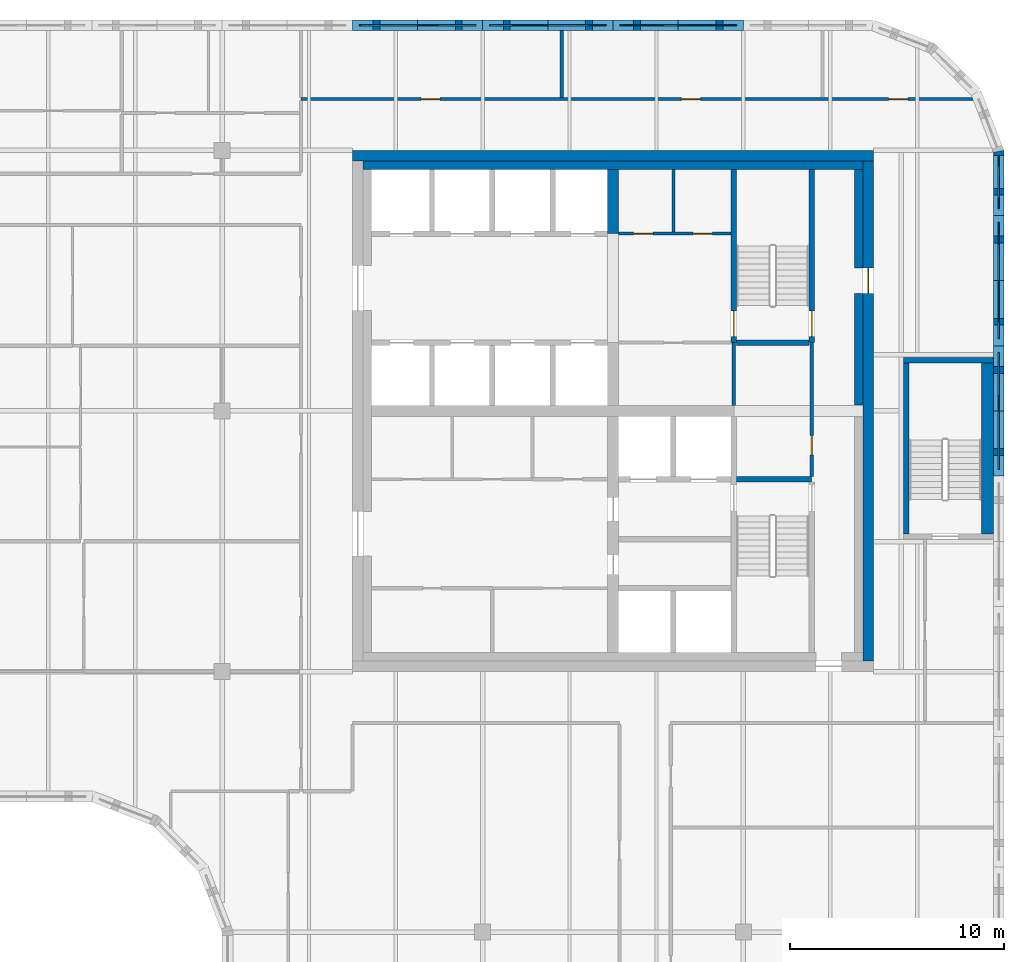
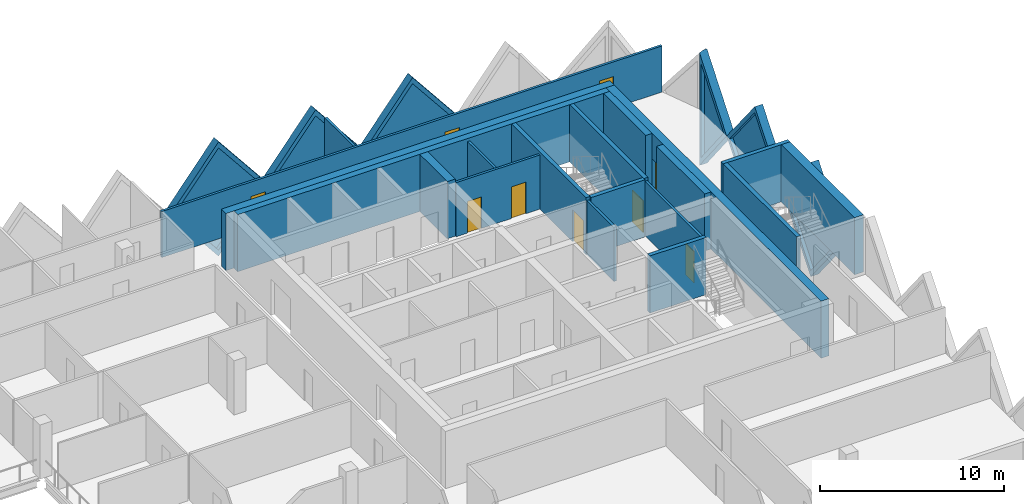
# One storey, part 9 of 11: 25 walls, 9 doors, 6 plates, 15 openings.
"""IFC4 building model written with IfcOpenShell, lengths in metres."""

from ifc_helpers import new_model, si_unit, direction, frame, frame_2d, origin, place, context, subcontext, project, spatial, polyline, rectangle, outline, extrude, faceted_brep, source, transform, mapped, material, layer, layer_set, type_object, element, fill, save


model = new_model("IFC4")

# Units and contexts
model_context = context("Model", 3, precision=1e-05, world=origin(), true_north=direction((0.0, 1.0)))
body_context = subcontext(model_context, "Body", "Model", "MODEL_VIEW")
ifc_project = project(units=[si_unit("LENGTHUNIT", "METRE"), si_unit("AREAUNIT", "SQUARE_METRE"), si_unit("VOLUMEUNIT", "CUBIC_METRE"), si_unit("PLANEANGLEUNIT", "RADIAN"), si_unit("MASSUNIT", "GRAM", prefix="KILO")], contexts=[model_context])

# Site, building, storey
site_placement = place(None, origin())
site = spatial("IfcSite", under=ifc_project, at=site_placement, CompositionType="ELEMENT")
building_placement = place(site_placement, origin())
building = spatial("IfcBuilding", under=site, at=building_placement, Name="Tessera Gate Towers", CompositionType="ELEMENT")
storey_placement = place(building_placement, frame((0.0, 0.0, 224.5)))
storey = spatial("IfcBuildingStorey", under=building, at=storey_placement, Name="L56", CompositionType="ELEMENT", Elevation=224.5)

# Wall
ifc_material_1 = material(Name="Concrete C40/50", Category="concrete")
ifc_layer_1 = layer(ifc_material_1, 0.25)
ifc_layer_set_1 = layer_set([ifc_layer_1], Name="CORE ENCLOSURE WALL 250")
wall_type_1 = type_object("IfcWallType", Name="CORE ENCLOSURE WALL 250", PredefinedType="SOLIDWALL", material=ifc_layer_set_1)
wall_1_placement = place(storey_placement, frame((48.47509765625, 33.39990234375, 0.0), z_axis=(0.0, 0.0, 1.0), x_axis=(1.0, 0.0, 0.0)))
element("IfcWall", 1, at=wall_1_placement, inside=storey, type_object=wall_type_1, Name="L56 shaft and stair enclosure wall", PredefinedType="SOLIDWALL", context=body_context, shape_type="SweptSolid", body=[
    extrude(rectangle(XDim=3.52490234375, YDim=0.25, at=frame_2d((1.762451171875, 0.0))), origin(), (0.0, 0.0, 1.0), 3.800048828125),
])

# Wall, opening, door
wall_2_placement = place(storey_placement, frame((48.35009765625, 47.89990234375, 0.0), z_axis=(0.0, 0.0, 1.0), x_axis=(0.0, -1.0, 0.0)))
wall_2 = element("IfcWall", 2, at=wall_2_placement, inside=storey, type_object=wall_type_1, Name="L56 shaft and stair enclosure wall", PredefinedType="SOLIDWALL", context=body_context, shape_type="SweptSolid", body=[
    extrude(rectangle(XDim=8.099853515625, YDim=0.25, at=frame_2d((4.0498046875, 0.0))), origin(), (0.0, 0.0, 1.0), 3.800048828125),
])
shared_shape_1 = source(origin(), body_context, "Body", "SweptSolid", [
    extrude(rectangle(XDim=1.199951171875, YDim=2.10009765625, at=frame_2d((0.60009765625, 1.050048828125))), frame((0.0, 0.135009765625, 0.0), z_axis=(0.0, -1.0, 0.0), x_axis=(1.0, 0.0, 0.0)), (0.0, 0.0, 1.0), 0.27001953125),
])
opening_1_placement = place(wall_2_placement, frame((6.625, 0.0, 0.0)))
opening_1 = element("IfcOpeningElement", 3, at=opening_1_placement, cuts=wall_2, Name="Opening SD-ST2-1", PredefinedType="OPENING", context=body_context, shape_type="MappedRepresentation", body=[
    mapped(shared_shape_1, transform((0.0, 0.0, 0.0), scale=1.0)),
])
ifc_material_2 = material(Name="Hollow steel fire door", Category="steel")
door_type_1 = type_object("IfcDoorType", Name="CORE DOOR SD 1200x2100", OperationType="NOTDEFINED", PredefinedType="DOOR", material=ifc_material_2)
shared_shape_2 = source(origin(), body_context, "Body", "SweptSolid", [
    extrude(rectangle(XDim=1.199951171875, YDim=2.10009765625, at=frame_2d((0.60009765625, 1.050048828125))), frame((0.0, 0.02490234375, 0.0), z_axis=(0.0, -1.0, 0.0), x_axis=(1.0, 0.0, 0.0)), (0.0, 0.0, 1.0), 0.050048828125),
])
door_1_placement = place(opening_1_placement, origin())
door_1 = element("IfcDoor", 4, at=door_1_placement, inside=storey, type_object=door_type_1, Name="Stair door", OperationType="SINGLE_SWING_RIGHT", OverallHeight=2.10009765625, OverallWidth=1.199951171875, PredefinedType="DOOR", context=body_context, shape_type="MappedRepresentation", body=[
    mapped(shared_shape_2, transform((0.0, 0.0, 0.0), scale=1.0)),
])
fill(opening_1, door_1)

wall_3_placement = place(storey_placement, frame((52.0, 39.800048828125, 0.0), z_axis=(0.0, 0.0, 1.0), x_axis=(0.0, 1.0, 0.0)))
wall_3 = element("IfcWall", 5, at=wall_3_placement, inside=storey, type_object=wall_type_1, Name="L56 shaft and stair enclosure wall", PredefinedType="SOLIDWALL", context=body_context, shape_type="SweptSolid", body=[
    extrude(rectangle(XDim=8.099853515625, YDim=0.25, at=frame_2d((4.0498046875, 0.0))), origin(), (0.0, 0.0, 1.0), 3.800048828125),
])
opening_2_placement = place(wall_3_placement, frame((0.27490234375, 0.0, 0.0)))
opening_2 = element("IfcOpeningElement", 6, at=opening_2_placement, cuts=wall_3, Name="Opening SD-ST2-2", PredefinedType="OPENING", context=body_context, shape_type="MappedRepresentation", body=[
    mapped(shared_shape_1, transform((0.0, 0.0, 0.0), scale=1.0)),
])
door_2_placement = place(opening_2_placement, origin())
door_2 = element("IfcDoor", 7, at=door_2_placement, inside=storey, type_object=door_type_1, Name="Stair door", OperationType="SINGLE_SWING_LEFT", OverallHeight=2.10009765625, OverallWidth=1.199951171875, PredefinedType="DOOR", context=body_context, shape_type="MappedRepresentation", body=[
    mapped(shared_shape_2, transform((0.0, 0.0, 0.0), scale=1.0)),
])
fill(opening_2, door_2)

# Walls
wall_4_placement = place(storey_placement, frame((48.47509765625, 39.800048828125, 0.0), z_axis=(0.0, 0.0, 1.0), x_axis=(1.0, 0.0, 0.0)))
element("IfcWall", 8, at=wall_4_placement, inside=storey, type_object=wall_type_1, Name="L56 shaft and stair enclosure wall", PredefinedType="SOLIDWALL", context=body_context, shape_type="SweptSolid", body=[
    extrude(rectangle(XDim=3.39990234375, YDim=0.25, at=frame_2d((1.699951171875, 0.0))), origin(), (0.0, 0.0, 1.0), 3.800048828125),
])
wall_5_placement = place(storey_placement, frame((56.425048828125, 30.85009765625, 0.0), z_axis=(0.0, 0.0, 1.0), x_axis=(0.0, 1.0, 0.0)))
element("IfcWall", 9, at=wall_5_placement, inside=storey, type_object=wall_type_1, Name="L56 ST5 enclosure wall", PredefinedType="SOLIDWALL", context=body_context, shape_type="SweptSolid", body=[
    extrude(rectangle(XDim=8.0, YDim=0.25, at=frame_2d((4.0, 0.0))), origin(), (0.0, 0.0, 1.0), 3.800048828125),
])
wall_6_placement = place(storey_placement, frame((56.300048828125, 38.97509765625, 0.0), z_axis=(0.0, 0.0, 1.0), x_axis=(1.0, 0.0, 0.0)))
element("IfcWall", 10, at=wall_6_placement, inside=storey, type_object=wall_type_1, Name="L56 ST5 enclosure wall", PredefinedType="SOLIDWALL", context=body_context, shape_type="SweptSolid", body=[
    extrude(rectangle(XDim=4.199951171875, YDim=0.25, at=frame_2d((2.10009765625, 0.0))), origin(), (0.0, 0.0, 1.0), 3.800048828125),
])
ifc_material_3 = material(Name="Concrete C40/50", Category="concrete")
ifc_layer_2 = layer(ifc_material_3, 0.550048828125)
ifc_layer_set_2 = layer_set([ifc_layer_2], Name="CORE ENCLOSURE WALL 550")
wall_type_2 = type_object("IfcWallType", Name="CORE ENCLOSURE WALL 550", PredefinedType="SOLIDWALL", material=ifc_layer_set_2)
wall_7_placement = place(storey_placement, frame((60.22509765625, 38.85009765625, 0.0), z_axis=(0.0, 0.0, 1.0), x_axis=(0.0, -1.0, 0.0)))
element("IfcWall", 11, at=wall_7_placement, inside=storey, type_object=wall_type_2, Name="L56 ST5 enclosure wall", PredefinedType="SOLIDWALL", context=body_context, shape_type="SweptSolid", body=[
    extrude(rectangle(XDim=8.0, YDim=0.550048828125, at=frame_2d((4.0, 0.0))), origin(), (0.0, 0.0, 1.0), 3.800048828125),
])
ifc_material_4 = material(Name="Concrete C50/60", Category="concrete")
ifc_layer_3 = layer(ifc_material_4, 0.5)
ifc_layer_set_3 = layer_set([ifc_layer_3], Name="CORE SHEAR WALL 500 C50/60")
wall_type_3 = type_object("IfcWallType", Name="CORE SHEAR WALL 500 C50/60", PredefinedType="SHEAR", material=ifc_layer_set_3)
wall_8_placement = place(storey_placement, frame((30.5, 48.550048828125, 0.0), z_axis=(0.0, 0.0, 1.0), x_axis=(1.0, 0.0, 0.0)))
element("IfcWall", 12, at=wall_8_placement, inside=storey, type_object=wall_type_3, Name="Core wall N L56", PredefinedType="SHEAR", context=body_context, shape_type="SweptSolid", body=[
    extrude(rectangle(XDim=24.39990234375, YDim=0.5, at=frame_2d((12.199951171875, 0.0))), origin(), (0.0, 0.0, 1.0), 3.800048828125),
])

# Wall, opening, door
wall_9_placement = place(storey_placement, frame((54.64990234375, 48.300048828125, 0.0), z_axis=(0.0, 0.0, 1.0), x_axis=(0.0, -1.0, 0.0)))
wall_9 = element("IfcWall", 13, at=wall_9_placement, inside=storey, type_object=wall_type_3, Name="Core wall E L56", PredefinedType="SHEAR", context=body_context, shape_type="SweptSolid", body=[
    extrude(rectangle(XDim=23.400146484375, YDim=0.5, at=frame_2d((11.7001953125, 0.0))), origin(), (0.0, 0.0, 1.0), 3.800048828125),
])
shared_shape_3 = source(origin(), body_context, "Body", "SweptSolid", [
    extrude(rectangle(XDim=1.199951171875, YDim=2.10009765625, at=frame_2d((0.60009765625, 1.050048828125))), frame((0.0, 0.260009765625, 0.0), z_axis=(0.0, -1.0, 0.0), x_axis=(1.0, 0.0, 0.0)), (0.0, 0.0, 1.0), 0.52001953125),
])
opening_3_placement = place(wall_9_placement, frame((5.0, 0.0, 0.0)))
opening_3 = element("IfcOpeningElement", 14, at=opening_3_placement, cuts=wall_9, Name="Opening ED-T1-33-04", PredefinedType="OPENING", context=body_context, shape_type="MappedRepresentation", body=[
    mapped(shared_shape_3, transform((0.0, 0.0, 0.0), scale=1.0)),
])
ifc_material_5 = material(Name="Hollow steel fire door", Category="steel")
door_type_2 = type_object("IfcDoorType", Name="CORE DOOR ED 1200x2100", OperationType="NOTDEFINED", PredefinedType="DOOR", material=ifc_material_5)
door_3_placement = place(opening_3_placement, origin())
door_3 = element("IfcDoor", 15, at=door_3_placement, inside=storey, type_object=door_type_2, Name="Core exit door", OperationType="SINGLE_SWING_LEFT", OverallHeight=2.10009765625, OverallWidth=1.199951171875, PredefinedType="DOOR", context=body_context, shape_type="MappedRepresentation", body=[
    mapped(shared_shape_2, transform((0.0, 0.0, 0.0), scale=1.0)),
])
fill(opening_3, door_3)

# Walls
ifc_material_6 = material(Name="Concrete C50/60", Category="concrete")
ifc_layer_4 = layer(ifc_material_6, 0.5)
ifc_layer_set_4 = layer_set([ifc_layer_4], Name="CORE SPINE WALL 500 C50/60")
wall_type_4 = type_object("IfcWallType", Name="CORE SPINE WALL 500 C50/60", PredefinedType="SHEAR", material=ifc_layer_set_4)
wall_10_placement = place(storey_placement, frame((42.699951171875, 44.89990234375, 0.0), z_axis=(0.0, 0.0, 1.0), x_axis=(0.0, 1.0, 0.0)))
element("IfcWall", 16, at=wall_10_placement, inside=storey, type_object=wall_type_4, Name="Core wall spine L56", PredefinedType="SHEAR", context=body_context, shape_type="SweptSolid", body=[
    extrude(rectangle(XDim=3.0, YDim=0.5, at=frame_2d((1.5, 0.0))), origin(), (0.0, 0.0, 1.0), 3.800048828125),
])
ifc_material_7 = material(Name="Concrete C50/60", Category="concrete")
ifc_layer_5 = layer(ifc_material_7, 0.39990234375)
ifc_layer_set_5 = layer_set([ifc_layer_5], Name="CORE WALL THICKENING 400")
wall_type_5 = type_object("IfcWallType", Name="CORE WALL THICKENING 400", PredefinedType="SOLIDWALL", material=ifc_layer_set_5)
wall_11_placement = place(storey_placement, frame((31.0, 48.10009765625, 0.0), z_axis=(0.0, 0.0, 1.0), x_axis=(1.0, 0.0, 0.0)))
element("IfcWall", 17, at=wall_11_placement, inside=storey, type_object=wall_type_5, Name="Core wall thickening N L56", PredefinedType="SOLIDWALL", context=body_context, shape_type="SweptSolid", body=[
    extrude(rectangle(XDim=23.39990234375, YDim=0.39990234375, at=frame_2d((11.699951171875, 0.0))), origin(), (0.0, 0.0, 1.0), 3.800048828125),
])
wall_12_placement = place(storey_placement, frame((54.199951171875, 36.8798828125, 0.0), z_axis=(0.0, 0.0, 1.0), x_axis=(0.0, 1.0, 0.0)))
element("IfcWall", 18, at=wall_12_placement, inside=storey, type_object=wall_type_5, Name="Core wall thickening E L56", PredefinedType="SOLIDWALL", context=body_context, shape_type="SweptSolid", body=[
    extrude(rectangle(XDim=5.22021484375, YDim=0.39990234375, at=frame_2d((2.610107421875, 0.0))), origin(), (0.0, 0.0, 1.0), 3.800048828125),
])
wall_13_placement = place(storey_placement, frame((54.199951171875, 43.300048828125, 0.0), z_axis=(0.0, 0.0, 1.0), x_axis=(0.0, 1.0, 0.0)))
element("IfcWall", 19, at=wall_13_placement, inside=storey, type_object=wall_type_5, Name="Core wall thickening E L56", PredefinedType="SOLIDWALL", context=body_context, shape_type="SweptSolid", body=[
    extrude(rectangle(XDim=4.599853515625, YDim=0.39990234375, at=frame_2d((2.2998046875, 0.0))), origin(), (0.0, 0.0, 1.0), 3.800048828125),
])

# Wall, openings, doors
ifc_material_8 = material(Name="Gypsum board on steel studs, mineral wool", Category="steel")
ifc_layer_6 = layer(ifc_material_8, 0.14990234375)
ifc_layer_set_6 = layer_set([ifc_layer_6], Name="CORRIDOR WALL 150")
wall_type_6 = type_object("IfcWallType", Name="CORRIDOR WALL 150", PredefinedType="PARTITIONING", material=ifc_layer_set_6)
wall_14_placement = place(storey_placement, frame((28.10009765625, 51.199951171875, 0.0), z_axis=(0.0, 0.0, 1.0), x_axis=(1.0, 0.0, 0.0)))
wall_14 = element("IfcWall", 20, at=wall_14_placement, inside=storey, type_object=wall_type_6, Name="T1-L56-PW-052", PredefinedType="PARTITIONING", context=body_context, shape_type="SweptSolid", body=[
    extrude(rectangle(XDim=31.438232421875, YDim=0.14990234375, at=frame_2d((15.71923828125, 0.0))), origin(), (0.0, 0.0, 1.0), 3.06689453125),
])
shared_shape_4 = source(origin(), body_context, "Body", "SweptSolid", [
    extrude(rectangle(XDim=0.89990234375, YDim=2.10009765625, at=frame_2d((0.449951171875, 1.050048828125))), frame((0.0, 0.0849609375, 0.0), z_axis=(0.0, -1.0, 0.0), x_axis=(1.0, 0.0, 0.0)), (0.0, 0.0, 1.0), 0.169921875),
])
opening_4_placement = place(wall_14_placement, frame((27.5009765625, 0.0, 0.0)))
opening_4 = element("IfcOpeningElement", 21, at=opening_4_placement, cuts=wall_14, Name="Opening D890FD60-A20-05", PredefinedType="OPENING", context=body_context, shape_type="MappedRepresentation", body=[
    mapped(shared_shape_4, transform((0.0, 0.0, 0.0), scale=1.0)),
])
opening_5_placement = place(wall_14_placement, frame((5.60009765625, 0.0, 0.0)))
opening_5 = element("IfcOpeningElement", 22, at=opening_5_placement, cuts=wall_14, Name="Opening D890FD60-A20-09", PredefinedType="OPENING", context=body_context, shape_type="MappedRepresentation", body=[
    mapped(shared_shape_4, transform((0.0, 0.0, 0.0), scale=1.0)),
])
opening_6_placement = place(wall_14_placement, frame((17.800048828125, 0.0, 0.0)))
opening_6 = element("IfcOpeningElement", 23, at=opening_6_placement, cuts=wall_14, Name="Opening D890FD60-A20-11", PredefinedType="OPENING", context=body_context, shape_type="MappedRepresentation", body=[
    mapped(shared_shape_4, transform((0.0, 0.0, 0.0), scale=1.0)),
])
ifc_material_9 = material(Name="Timber door leaf in steel frame", Category="steel")
door_type_3 = type_object("IfcDoorType", Name="CORRIDOR DOOR 900 FD60", OperationType="NOTDEFINED", PredefinedType="DOOR", material=ifc_material_9)
shared_shape_5 = source(origin(), body_context, "Body", "SweptSolid", [
    extrude(rectangle(XDim=0.89990234375, YDim=2.10009765625, at=frame_2d((0.449951171875, 1.050048828125))), frame((0.0, 0.02490234375, 0.0), z_axis=(0.0, -1.0, 0.0), x_axis=(1.0, 0.0, 0.0)), (0.0, 0.0, 1.0), 0.050048828125),
])
door_4_placement = place(opening_4_placement, origin())
door_4 = element("IfcDoor", 24, at=door_4_placement, inside=storey, type_object=door_type_3, Name="T1-L56-PD-017", OperationType="SINGLE_SWING_LEFT", OverallHeight=2.10009765625, OverallWidth=0.89990234375, PredefinedType="DOOR", context=body_context, shape_type="MappedRepresentation", body=[
    mapped(shared_shape_5, transform((0.0, 0.0, 0.0), scale=1.0)),
])
fill(opening_4, door_4)
door_5_placement = place(opening_5_placement, origin())
door_5 = element("IfcDoor", 25, at=door_5_placement, inside=storey, type_object=door_type_3, Name="T1-L56-PD-024", OperationType="SINGLE_SWING_LEFT", OverallHeight=2.10009765625, OverallWidth=0.89990234375, PredefinedType="DOOR", context=body_context, shape_type="MappedRepresentation", body=[
    mapped(shared_shape_5, transform((0.0, 0.0, 0.0), scale=1.0)),
])
fill(opening_5, door_5)
door_6_placement = place(opening_6_placement, origin())
door_6 = element("IfcDoor", 26, at=door_6_placement, inside=storey, type_object=door_type_3, Name="T1-L56-PD-026", OperationType="SINGLE_SWING_LEFT", OverallHeight=2.10009765625, OverallWidth=0.89990234375, PredefinedType="DOOR", context=body_context, shape_type="MappedRepresentation", body=[
    mapped(shared_shape_5, transform((0.0, 0.0, 0.0), scale=1.0)),
])
fill(opening_6, door_6)

# Wall, opening, door
ifc_material_10 = material(Name="Gypsum board on steel studs", Category="steel")
ifc_layer_7 = layer(ifc_material_10, 0.14990234375)
ifc_layer_set_7 = layer_set([ifc_layer_7], Name="SERVICE ROOM WALL 150")
wall_type_7 = type_object("IfcWallType", Name="SERVICE ROOM WALL 150", PredefinedType="PARTITIONING", material=ifc_layer_set_7)
wall_15_placement = place(storey_placement, frame((52.0, 33.52490234375, 0.0), z_axis=(0.0, 0.0, 1.0), x_axis=(0.0, 1.0, 0.0)))
wall_15 = element("IfcWall", 27, at=wall_15_placement, inside=storey, type_object=wall_type_7, Name="L56 service room wall", PredefinedType="PARTITIONING", context=body_context, shape_type="SweptSolid", body=[
    extrude(rectangle(XDim=6.275146484375, YDim=0.14990234375, at=frame_2d((3.1376953125, 0.0))), origin(), (0.0, 0.0, 1.0), 3.60009765625),
])
opening_7_placement = place(wall_15_placement, frame((1.02490234375, 0.0, 0.0)))
opening_7 = element("IfcOpeningElement", 28, at=opening_7_placement, cuts=wall_15, Name="Opening RD-T1-33-09", PredefinedType="OPENING", context=body_context, shape_type="MappedRepresentation", body=[
    mapped(shared_shape_4, transform((0.0, 0.0, 0.0), scale=1.0)),
])
ifc_material_11 = material(Name="Hollow steel fire door", Category="steel")
door_type_4 = type_object("IfcDoorType", Name="CORE DOOR RD 900x2100", OperationType="NOTDEFINED", PredefinedType="DOOR", material=ifc_material_11)
door_7_placement = place(opening_7_placement, origin())
door_7 = element("IfcDoor", 29, at=door_7_placement, inside=storey, type_object=door_type_4, Name="Core room door", OperationType="SINGLE_SWING_LEFT", OverallHeight=2.10009765625, OverallWidth=0.89990234375, PredefinedType="DOOR", context=body_context, shape_type="MappedRepresentation", body=[
    mapped(shared_shape_5, transform((0.0, 0.0, 0.0), scale=1.0)),
])
fill(opening_7, door_7)

# Wall, openings, doors
wall_16_placement = place(storey_placement, frame((42.949951171875, 44.89990234375, 0.0), z_axis=(0.0, 0.0, 1.0), x_axis=(1.0, 0.0, 0.0)))
wall_16 = element("IfcWall", 30, at=wall_16_placement, inside=storey, type_object=wall_type_7, Name="L56 service room wall", PredefinedType="PARTITIONING", context=body_context, shape_type="SweptSolid", body=[
    extrude(rectangle(XDim=5.275146484375, YDim=0.14990234375, at=frame_2d((2.6376953125, 0.0))), origin(), (0.0, 0.0, 1.0), 3.60009765625),
])
opening_8_placement = place(wall_16_placement, frame((0.71240234375, 0.0, 0.0)))
opening_8 = element("IfcOpeningElement", 31, at=opening_8_placement, cuts=wall_16, Name="Opening RD-T1-33-11", PredefinedType="OPENING", context=body_context, shape_type="MappedRepresentation", body=[
    mapped(shared_shape_4, transform((0.0, 0.0, 0.0), scale=1.0)),
])
opening_9_placement = place(wall_16_placement, frame((3.5, 0.0, 0.0)))
opening_9 = element("IfcOpeningElement", 32, at=opening_9_placement, cuts=wall_16, Name="Opening RD-T1-33-12", PredefinedType="OPENING", context=body_context, shape_type="MappedRepresentation", body=[
    mapped(shared_shape_4, transform((0.0, 0.0, 0.0), scale=1.0)),
])
door_8_placement = place(opening_8_placement, origin())
door_8 = element("IfcDoor", 33, at=door_8_placement, inside=storey, type_object=door_type_4, Name="Core room door", OperationType="SINGLE_SWING_LEFT", OverallHeight=2.10009765625, OverallWidth=0.89990234375, PredefinedType="DOOR", context=body_context, shape_type="MappedRepresentation", body=[
    mapped(shared_shape_5, transform((0.0, 0.0, 0.0), scale=1.0)),
])
fill(opening_8, door_8)
door_9_placement = place(opening_9_placement, origin())
door_9 = element("IfcDoor", 34, at=door_9_placement, inside=storey, type_object=door_type_4, Name="Core room door", OperationType="SINGLE_SWING_RIGHT", OverallHeight=2.10009765625, OverallWidth=0.89990234375, PredefinedType="DOOR", context=body_context, shape_type="MappedRepresentation", body=[
    mapped(shared_shape_5, transform((0.0, 0.0, 0.0), scale=1.0)),
])
fill(opening_9, door_9)

# Walls
wall_17_placement = place(storey_placement, frame((48.35009765625, 36.85009765625, 0.0), z_axis=(0.0, 0.0, 1.0), x_axis=(0.0, 1.0, 0.0)))
element("IfcWall", 35, at=wall_17_placement, inside=storey, type_object=wall_type_7, Name="L56 service room wall", PredefinedType="PARTITIONING", context=body_context, shape_type="SweptSolid", body=[
    extrude(rectangle(XDim=2.949951171875, YDim=0.14990234375, at=frame_2d((1.47509765625, 0.0))), origin(), (0.0, 0.0, 1.0), 3.60009765625),
])
wall_18_placement = place(storey_placement, frame((45.52490234375, 44.97509765625, 0.0), z_axis=(0.0, 0.0, 1.0), x_axis=(0.0, 1.0, 0.0)))
element("IfcWall", 36, at=wall_18_placement, inside=storey, type_object=wall_type_7, Name="L56 service room wall", PredefinedType="PARTITIONING", context=body_context, shape_type="SweptSolid", body=[
    extrude(rectangle(XDim=2.9248046875, YDim=0.14990234375, at=frame_2d((1.46240234375, 0.0))), origin(), (0.0, 0.0, 1.0), 3.60009765625),
])
ifc_material_12 = material(Name="Gypsum board on steel studs, mineral wool", Category="steel")
ifc_layer_8 = layer(ifc_material_12, 0.14990234375)
ifc_layer_set_8 = layer_set([ifc_layer_8], Name="TENANCY WALL 150")
wall_type_8 = type_object("IfcWallType", Name="TENANCY WALL 150", PredefinedType="PARTITIONING", material=ifc_layer_set_8)
wall_19_placement = place(storey_placement, frame((40.300048828125, 51.27587890625, 0.0), z_axis=(0.0, 0.0, 1.0), x_axis=(0.0, 1.0, 0.0)))
element("IfcWall", 37, at=wall_19_placement, inside=storey, type_object=wall_type_8, Name="T1-L56-PW-054", PredefinedType="PARTITIONING", context=body_context, shape_type="SweptSolid", body=[
    extrude(rectangle(XDim=3.1240234375, YDim=0.14990234375, at=frame_2d((1.56201171875, 0.0))), origin(), (0.0, 0.0, 1.0), 3.06689453125),
])

# Wall, opening, plate
ifc_material_13 = material(Name="Precast concrete C60/75 white", Category="concrete")
ifc_layer_9 = layer(ifc_material_13, 0.5)
ifc_layer_set_9 = layer_set([ifc_layer_9], Name="TS1 tessera")
wall_type_9 = type_object("IfcWallType", Name="TS1 tessera", PredefinedType="SOLIDWALL", material=ifc_layer_set_9)
shared_shape_6 = source(origin(), body_context, "Body", "Brep", [
    faceted_brep([(3.050048828125, -0.25, 0.0), (6.099853515625, -0.25, 3.7998046875), (6.099853515625, -0.25, 3.80029296875), (3.050048828125, -0.25, 7.60009765625), (0.0, -0.25, 3.800048828125), (0.0, 0.25, 3.800048828125), (3.050048828125, 0.25, 7.60009765625), (6.099853515625, 0.25, 3.80029296875), (6.099853515625, 0.25, 3.7998046875), (3.050048828125, 0.25, 0.0)], [[[0, 1, 2, 3, 4]], [[5, 6, 7, 8, 9]], [[9, 8, 1, 0]], [[7, 6, 3, 2]], [[6, 5, 4, 3]], [[5, 9, 0, 4]], [[1, 8, 7, 2]]]),
])
wall_20_placement = place(storey_placement, frame((60.75, 33.550048828125, -3.800048828125), z_axis=(0.0, 0.0, 1.0), x_axis=(0.0, 1.0, 0.0)))
wall_20 = element("IfcWall", 38, at=wall_20_placement, inside=storey, type_object=wall_type_9, Name="Precast tessera T1 TS1-0997", PredefinedType="SOLIDWALL", context=body_context, shape_type="MappedRepresentation", body=[
    mapped(shared_shape_6, transform((0.0, 0.0, 0.0), scale=1.0)),
])
shared_shape_7 = source(origin(), body_context, "Body", "SweptSolid", [
    extrude(outline(polyline([(3.050048828125, 0.3994140625), (5.779541015625, 3.800048828125), (3.050048828125, 7.20068359375), (0.320556640625, 3.800048828125), (3.050048828125, 0.3994140625)])), frame((0.0, 0.260009765625, 0.0), z_axis=(0.0, -1.0, 0.0), x_axis=(1.0, 0.0, 0.0)), (0.0, 0.0, 1.0), 0.52001953125),
])
opening_10_placement = place(wall_20_placement, origin())
opening_10 = element("IfcOpeningElement", 39, at=opening_10_placement, cuts=wall_20, Name="Opening T1-PL2-2033", PredefinedType="OPENING", context=body_context, shape_type="MappedRepresentation", body=[
    mapped(shared_shape_7, transform((0.0, 0.0, 0.0), scale=1.0)),
])
ifc_material_14 = material(Name="Low-e laminated glass", Category="glass")
ifc_layer_10 = layer(ifc_material_14, 0.06005859375)
ifc_layer_set_10 = layer_set([ifc_layer_10], Name="PL2 rhombic pane")
plate_type = type_object("IfcPlateType", Name="PL2 rhombic pane", PredefinedType="SHEET", material=ifc_layer_set_10)
shared_shape_8 = source(origin(), body_context, "Body", "SweptSolid", [
    extrude(outline(polyline([(3.050048828125, 0.3994140625), (5.779541015625, 3.800048828125), (3.050048828125, 7.20068359375), (0.320556640625, 3.800048828125), (3.050048828125, 0.3994140625)])), frame((0.0, 0.030029296875, 0.0), z_axis=(0.0, -1.0, 0.0), x_axis=(1.0, 0.0, 0.0)), (0.0, 0.0, 1.0), 0.06005859375),
])
plate_1_placement = place(opening_10_placement, origin())
plate_1 = element("IfcPlate", 40, at=plate_1_placement, inside=storey, type_object=plate_type, Name="Glass pane T1 PL2-2033", PredefinedType="SHEET", context=body_context, shape_type="MappedRepresentation", body=[
    mapped(shared_shape_8, transform((0.0, 0.0, 0.0), scale=1.0)),
])
fill(opening_10, plate_1)

wall_21_placement = place(storey_placement, frame((42.699951171875, 54.64990234375, -3.800048828125), z_axis=(0.0, 0.0, 1.0), x_axis=(-1.0, 0.0, 0.0)))
wall_21 = element("IfcWall", 41, at=wall_21_placement, inside=storey, type_object=wall_type_9, Name="Precast tessera T1 TS1-1001", PredefinedType="SOLIDWALL", context=body_context, shape_type="MappedRepresentation", body=[
    mapped(shared_shape_6, transform((0.0, 0.0, 0.0), scale=1.0)),
])
opening_11_placement = place(wall_21_placement, origin())
opening_11 = element("IfcOpeningElement", 42, at=opening_11_placement, cuts=wall_21, Name="Opening T1-PL2-2041", PredefinedType="OPENING", context=body_context, shape_type="MappedRepresentation", body=[
    mapped(shared_shape_7, transform((0.0, 0.0, 0.0), scale=1.0)),
])
plate_2_placement = place(opening_11_placement, origin())
plate_2 = element("IfcPlate", 43, at=plate_2_placement, inside=storey, type_object=plate_type, Name="Glass pane T1 PL2-2041", PredefinedType="SHEET", context=body_context, shape_type="MappedRepresentation", body=[
    mapped(shared_shape_8, transform((0.0, 0.0, 0.0), scale=1.0)),
])
fill(opening_11, plate_2)

shared_shape_9 = source(origin(), body_context, "Body", "SweptSolid", [
    extrude(outline(polyline([(3.050048828125, 0.0), (6.10009765625, 3.800048828125), (3.050048828125, 7.60009765625), (0.0, 3.800048828125), (3.050048828125, 0.0)])), frame((0.0, 0.25, 0.0), z_axis=(0.0, -1.0, 0.0), x_axis=(1.0, 0.0, 0.0)), (0.0, 0.0, 1.0), 0.5),
])
wall_22_placement = place(storey_placement, frame((60.75, 39.64990234375, -3.800048828125), z_axis=(0.0, 0.0, 1.0), x_axis=(0.0, 1.0, 0.0)))
wall_22 = element("IfcWall", 44, at=wall_22_placement, inside=storey, type_object=wall_type_9, Name="Precast tessera T1 TS1-0998", PredefinedType="SOLIDWALL", context=body_context, shape_type="MappedRepresentation", body=[
    mapped(shared_shape_9, transform((0.0, 0.0, 0.0), scale=1.0)),
])
opening_12_placement = place(wall_22_placement, origin())
opening_12 = element("IfcOpeningElement", 45, at=opening_12_placement, cuts=wall_22, Name="Opening T1-PL2-2034", PredefinedType="OPENING", context=body_context, shape_type="MappedRepresentation", body=[
    mapped(shared_shape_7, transform((0.0, 0.0, 0.0), scale=1.0)),
])
plate_3_placement = place(opening_12_placement, origin())
plate_3 = element("IfcPlate", 46, at=plate_3_placement, inside=storey, type_object=plate_type, Name="Glass pane T1 PL2-2034", PredefinedType="SHEET", context=body_context, shape_type="MappedRepresentation", body=[
    mapped(shared_shape_8, transform((0.0, 0.0, 0.0), scale=1.0)),
])
fill(opening_12, plate_3)

wall_23_placement = place(storey_placement, frame((48.800048828125, 54.64990234375, -3.800048828125), z_axis=(0.0, 0.0, 1.0), x_axis=(-1.0, 0.0, 0.0)))
wall_23 = element("IfcWall", 47, at=wall_23_placement, inside=storey, type_object=wall_type_9, Name="Precast tessera T1 TS1-1000", PredefinedType="SOLIDWALL", context=body_context, shape_type="MappedRepresentation", body=[
    mapped(shared_shape_9, transform((0.0, 0.0, 0.0), scale=1.0)),
])
opening_13_placement = place(wall_23_placement, origin())
opening_13 = element("IfcOpeningElement", 48, at=opening_13_placement, cuts=wall_23, Name="Opening T1-PL2-2040", PredefinedType="OPENING", context=body_context, shape_type="MappedRepresentation", body=[
    mapped(shared_shape_7, transform((0.0, 0.0, 0.0), scale=1.0)),
])
plate_4_placement = place(opening_13_placement, origin())
plate_4 = element("IfcPlate", 49, at=plate_4_placement, inside=storey, type_object=plate_type, Name="Glass pane T1 PL2-2040", PredefinedType="SHEET", context=body_context, shape_type="MappedRepresentation", body=[
    mapped(shared_shape_8, transform((0.0, 0.0, 0.0), scale=1.0)),
])
fill(opening_13, plate_4)

wall_24_placement = place(storey_placement, frame((36.60009765625, 54.64990234375, -3.800048828125), z_axis=(0.0, 0.0, 1.0), x_axis=(-1.0, 0.0, 0.0)))
wall_24 = element("IfcWall", 50, at=wall_24_placement, inside=storey, type_object=wall_type_9, Name="Precast tessera T1 TS1-1002", PredefinedType="SOLIDWALL", context=body_context, shape_type="MappedRepresentation", body=[
    mapped(shared_shape_9, transform((0.0, 0.0, 0.0), scale=1.0)),
])
opening_14_placement = place(wall_24_placement, origin())
opening_14 = element("IfcOpeningElement", 51, at=opening_14_placement, cuts=wall_24, Name="Opening T1-PL2-2042", PredefinedType="OPENING", context=body_context, shape_type="MappedRepresentation", body=[
    mapped(shared_shape_7, transform((0.0, 0.0, 0.0), scale=1.0)),
])
plate_5_placement = place(opening_14_placement, origin())
plate_5 = element("IfcPlate", 52, at=plate_5_placement, inside=storey, type_object=plate_type, Name="Glass pane T1 PL2-2042", PredefinedType="SHEET", context=body_context, shape_type="MappedRepresentation", body=[
    mapped(shared_shape_8, transform((0.0, 0.0, 0.0), scale=1.0)),
])
fill(opening_14, plate_5)

ifc_material_15 = material(Name="Precast concrete C60/75 white", Category="concrete")
ifc_layer_11 = layer(ifc_material_15, 0.5)
ifc_layer_set_11 = layer_set([ifc_layer_11], Name="TS3 corner tessera")
wall_type_10 = type_object("IfcWallType", Name="TS3 corner tessera", PredefinedType="SOLIDWALL", material=ifc_layer_set_11)
shared_shape_10 = source(origin(), body_context, "Body", "Brep", [
    faceted_brep([(3.00341796875, -0.25, 0.0), (3.050048828125, -0.25, 0.06005859375), (3.050048828125, -0.25, 7.5400390625), (3.00341796875, -0.25, 7.60009765625), (0.0, -0.25, 3.800048828125), (0.0, 0.25, 3.800048828125), (2.956787109375, 0.25, 7.541259765625), (2.956787109375, 0.25, 0.058837890625), (3.00341796875, 0.000244140625, 0.0), (3.00341796875, 0.000244140625, 7.60009765625)], [[[0, 1, 2, 3, 4]], [[5, 6, 7]], [[1, 0, 8]], [[9, 3, 2]], [[6, 5, 4, 3, 9]], [[5, 7, 8, 0, 4]], [[1, 8, 7, 6, 9, 2]]]),
])
wall_25_placement = place(storey_placement, frame((60.75, 45.75, -3.800048828125), z_axis=(0.0, 0.0, 1.0), x_axis=(0.0, 1.0, 0.0)))
wall_25 = element("IfcWall", 53, at=wall_25_placement, inside=storey, type_object=wall_type_10, Name="Precast corner tessera T1 TS3-1301", PredefinedType="SOLIDWALL", context=body_context, shape_type="MappedRepresentation", body=[
    mapped(shared_shape_10, transform((0.0, 0.0, 0.0), scale=1.0)),
])
shared_shape_11 = source(origin(), body_context, "Body", "SweptSolid", [
    extrude(outline(polyline([(2.803466796875, 6.94384765625), (0.318603515625, 3.800048828125), (2.803466796875, 0.65625), (2.803466796875, 6.94384765625)])), frame((0.0, 0.260009765625, 0.0), z_axis=(0.0, -1.0, 0.0), x_axis=(1.0, 0.0, 0.0)), (0.0, 0.0, 1.0), 0.52001953125),
])
opening_15_placement = place(wall_25_placement, origin())
opening_15 = element("IfcOpeningElement", 54, at=opening_15_placement, cuts=wall_25, Name="Opening T1-PL2-2035", PredefinedType="OPENING", context=body_context, shape_type="MappedRepresentation", body=[
    mapped(shared_shape_11, transform((0.0, 0.0, 0.0), scale=1.0)),
])
shared_shape_12 = source(origin(), body_context, "Body", "SweptSolid", [
    extrude(outline(polyline([(2.803466796875, 6.94384765625), (0.318603515625, 3.800048828125), (2.803466796875, 0.65625), (2.803466796875, 6.94384765625)])), frame((0.0, 0.030029296875, 0.0), z_axis=(0.0, -1.0, 0.0), x_axis=(1.0, 0.0, 0.0)), (0.0, 0.0, 1.0), 0.06005859375),
])
plate_6_placement = place(opening_15_placement, origin())
plate_6 = element("IfcPlate", 55, at=plate_6_placement, inside=storey, type_object=plate_type, Name="Glass pane T1 PL2-2035", PredefinedType="SHEET", context=body_context, shape_type="MappedRepresentation", body=[
    mapped(shared_shape_12, transform((0.0, 0.0, 0.0), scale=1.0)),
])
fill(opening_15, plate_6)

save(model, "model.ifc")
